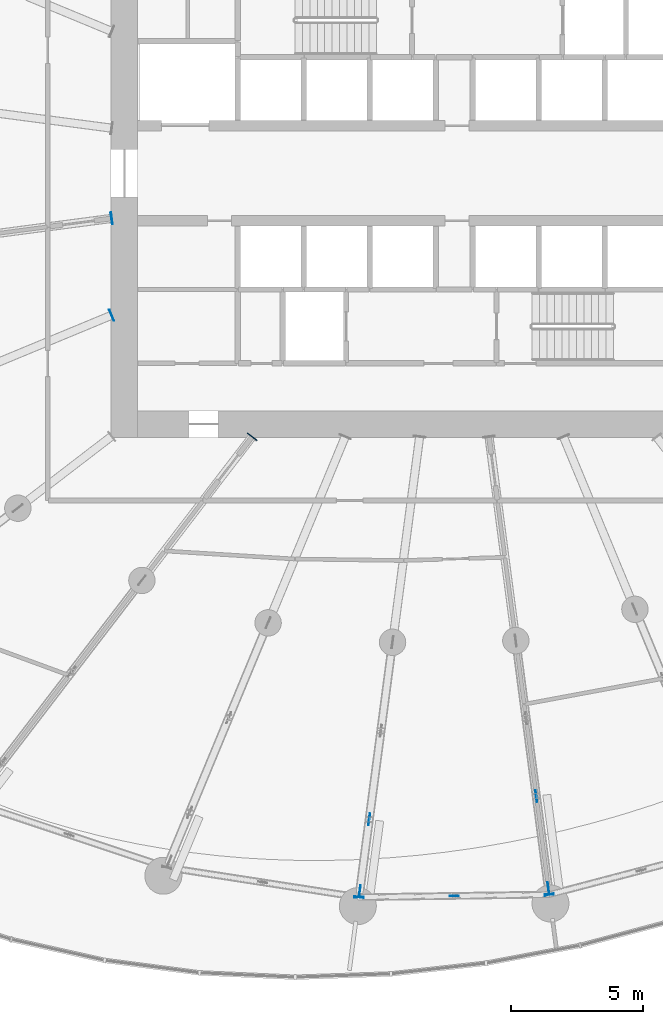
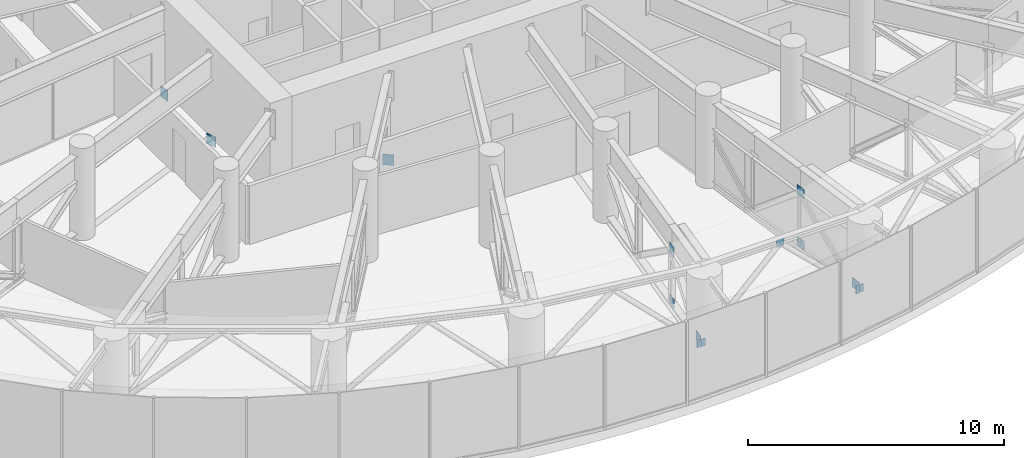
# One storey, part 29 of 42: 14 discrete accessories.
"""IFC4 building model written with IfcOpenShell, lengths in metres."""

import ifcopenshell
import ifcopenshell.guid

model = None  # the IFC model being written
_history = None  # IfcOwnerHistory: only IFC2X3 demands one
_inside = {}  # id of a spatial element -> (the spatial element, [elements in it])
_under = {}  # id of a project, library or spatial element -> (it, [spatial elements below it])
_declared = {}  # id of a project -> (the project, [libraries it declares])
_typed = {}  # id of a type object -> (the type object, [elements of that type])
_made_of = {}  # id of a material, layer set ... -> (it, [elements and type objects made of it])


def new_model(schema):
    """Start an empty IFC model of exactly this schema.

    Asked for "IFC4X3", IfcOpenShell would pick the latest addendum, in which some entities
    have other attributes; the version numbers below select the first issue.
    IFC2X3 requires an IfcOwnerHistory on every rooted entity: one is made here for all.
    """
    global model, _history
    if schema == "IFC4X3":
        model = ifcopenshell.file(schema_version=(4, 3, 0, 0))
    else:
        model = ifcopenshell.file(schema=schema)
    _inside.clear()
    _under.clear()
    _declared.clear()
    _typed.clear()
    _made_of.clear()
    _history = None
    if model.schema == "IFC2X3":
        org = make("IfcOrganization", Name="unknown")
        user = make(
            "IfcPersonAndOrganization",
            ThePerson=make("IfcPerson", FamilyName="unknown"),
            TheOrganization=org,
        )
        app = make(
            "IfcApplication",
            ApplicationDeveloper=org,
            Version="unknown",
            ApplicationFullName="unknown",
            ApplicationIdentifier="unknown",
        )
        _history = make(
            "IfcOwnerHistory",
            OwningUser=user,
            OwningApplication=app,
            ChangeAction="ADDED",
            CreationDate=0,
        )
    return model


def make(cls, **values):
    """One entity of the class cls with the attributes given. An attribute that is None is left unset."""
    return model.create_entity(
        cls, **{name: value for name, value in values.items() if value is not None}
    )


def rooted(cls, **values):
    """An entity with a GlobalId (a new one), such as an element, a storey or a relation."""
    return make(cls, GlobalId=ifcopenshell.guid.new(), OwnerHistory=_history, **values)


def si_unit(unit_type, name, prefix=None):
    """IfcSIUnit, for example si_unit("LENGTHUNIT", "METRE", prefix="MILLI")."""
    return make("IfcSIUnit", UnitType=unit_type, Prefix=prefix, Name=name)


def assignment(units):
    """IfcUnitAssignment: the units of a project."""
    return None if units is None else make("IfcUnitAssignment", Units=units)


def point(xyz):
    """IfcCartesianPoint."""
    return None if xyz is None else make("IfcCartesianPoint", Coordinates=xyz)


def direction(xyz):
    """IfcDirection."""
    return None if xyz is None else make("IfcDirection", DirectionRatios=xyz)


def frame(location, z_axis=None, x_axis=None):
    """IfcAxis2Placement3D, a coordinate frame: its origin and axes. An axis left out is left unset."""
    return make(
        "IfcAxis2Placement3D",
        Location=point(location),
        Axis=direction(z_axis),
        RefDirection=direction(x_axis),
    )


def frame_2d(location, x_axis=None):
    """IfcAxis2Placement2D, a coordinate frame in the plane: its origin and x axis."""
    return make(
        "IfcAxis2Placement2D", Location=point(location), RefDirection=direction(x_axis)
    )


def origin():
    """The frame at (0, 0, 0) with its axes left unset."""
    return frame((0.0, 0.0, 0.0))


def origin_2d():
    """The frame at (0, 0) in the plane with its x axis left unset."""
    return frame_2d((0.0, 0.0))


def place(relative_to, where):
    """IfcLocalPlacement: puts the frame where relative to a parent placement (None: the world)."""
    return make(
        "IfcLocalPlacement", PlacementRelTo=relative_to, RelativePlacement=where
    )


def context(
    kind, dimensions, precision=None, world=None, true_north=None, identifier=None
):
    """IfcGeometricRepresentationContext, for example the 3D "Model" context."""
    return make(
        "IfcGeometricRepresentationContext",
        ContextIdentifier=identifier,
        ContextType=kind,
        CoordinateSpaceDimension=dimensions,
        Precision=precision,
        WorldCoordinateSystem=world,
        TrueNorth=true_north,
    )


def subcontext(parent, identifier, kind, view, scale=None):
    """IfcGeometricRepresentationSubContext, for example "Body" below "Model"."""
    return make(
        "IfcGeometricRepresentationSubContext",
        ContextIdentifier=identifier,
        ContextType=kind,
        ParentContext=parent,
        TargetScale=scale,
        TargetView=view,
    )


def project(units=None, contexts=None):
    """IfcProject with its units and contexts."""
    return rooted(
        "IfcProject",
        Name="project",
        RepresentationContexts=contexts,
        UnitsInContext=assignment(units),
    )


def spatial(cls, under=None, at=None, **own):
    """A site, building, storey or space (cls), placed at a placement, below another one or the project."""
    s = rooted(cls, ObjectPlacement=at, **own)
    if under is not None:
        _under.setdefault(under.id(), (under, []))[1].append(s)
    return s


def profile(cls, at=None, kind="AREA", **sizes):
    """A parametric profile (cls). Its sizes go by their IFC names, for example OverallWidth=200.0."""
    return make(cls, ProfileType=kind, Position=at, **sizes)


def rectangle(**sizes):
    """IfcRectangleProfileDef."""
    return profile("IfcRectangleProfileDef", **sizes)


def extrude(swept, where, along, depth):
    """IfcExtrudedAreaSolid: the profile swept, set in the frame where, extruded along a direction by depth."""
    return make(
        "IfcExtrudedAreaSolid",
        SweptArea=swept,
        Position=where,
        ExtrudedDirection=direction(along),
        Depth=depth,
    )


def shape(context_of_items, identifier, shape_type, items):
    """IfcShapeRepresentation: the items that make up one representation, for example the "Body"."""
    return make(
        "IfcShapeRepresentation",
        ContextOfItems=context_of_items,
        RepresentationIdentifier=identifier,
        RepresentationType=shape_type,
        Items=items,
    )


def source(mapping_origin, context_of_items, identifier, shape_type, items):
    """IfcRepresentationMap: a shape defined once, which mapped items show again and again."""
    return make(
        "IfcRepresentationMap",
        MappingOrigin=mapping_origin,
        MappedRepresentation=shape(context_of_items, identifier, shape_type, items),
    )


def transform(
    local_origin,
    x_axis=None,
    y_axis=None,
    z_axis=None,
    scale=None,
    scale2=None,
    scale3=None,
    uniform=True,
):
    """IfcCartesianTransformationOperator3D, or its non-uniform kind. x_axis, y_axis, z_axis: its Axis1, 2, 3."""
    if uniform:
        return make(
            "IfcCartesianTransformationOperator3D",
            Axis1=direction(x_axis),
            Axis2=direction(y_axis),
            LocalOrigin=point(local_origin),
            Scale=scale,
            Axis3=direction(z_axis),
        )
    return make(
        "IfcCartesianTransformationOperator3DnonUniform",
        Axis1=direction(x_axis),
        Axis2=direction(y_axis),
        LocalOrigin=point(local_origin),
        Scale=scale,
        Axis3=direction(z_axis),
        Scale2=scale2,
        Scale3=scale3,
    )


def mapped(mapping_source, mapping_target):
    """IfcMappedItem: shows the shape of a source again, moved by a transform."""
    return make(
        "IfcMappedItem", MappingSource=mapping_source, MappingTarget=mapping_target
    )


def material(Name=None, Category=None):
    """IfcMaterial."""
    return make("IfcMaterial", Name=Name, Category=Category)


def layer(
    of_material, thickness, ventilated=None, Name=None, Category=None, Priority=None
):
    """IfcMaterialLayer: one layer of a wall or slab, of a material (None: an air gap)."""
    return make(
        "IfcMaterialLayer",
        Material=of_material,
        LayerThickness=thickness,
        IsVentilated=ventilated,
        Name=Name,
        Category=Category,
        Priority=Priority,
    )


def layer_set(layers, Name=None):
    """IfcMaterialLayerSet."""
    return make("IfcMaterialLayerSet", MaterialLayers=layers, LayerSetName=Name)


def made_of(thing, what):
    """Note that an element or type object is made of a material, layer set ...; save() writes the relation."""
    if what is not None:
        _made_of.setdefault(what.id(), (what, []))[1].append(thing)
    return thing


def type_object(cls, material=None, **own):
    """A type object (cls), such as IfcWallType, which elements share."""
    return made_of(rooted(cls, **own), material)


def element(
    cls,
    number,
    at=None,
    inside=None,
    cuts=None,
    type_object=None,
    material=None,
    context=None,
    identifier="Body",
    shape_type=None,
    held_by="IfcProductDefinitionShape",
    body=None,
    shapes=None,
    **own,
):
    """One element of the class cls, such as IfcWall. Its Tag is "e" and its number.

    at: its placement. inside: the storey or other place that contains it. cuts: it is an
    opening in that element (IfcRelVoidsElement). A single representation is given by context,
    identifier, shape_type and body (its items); several are given by shapes. held_by: the class
    of the entity that holds the representations. save() writes the other relations.
    """
    e = rooted(cls, Tag="e%d" % number, ObjectPlacement=at, **own)
    if body is not None:
        shapes = [shape(context, identifier, shape_type, body)]
    if shapes is not None:
        e.Representation = make(held_by, Representations=shapes)
    if inside is not None:
        _inside.setdefault(inside.id(), (inside, []))[1].append(e)
    if cuts is not None:
        rooted(
            "IfcRelVoidsElement", RelatingBuildingElement=cuts, RelatedOpeningElement=e
        )
    if type_object is not None:
        _typed.setdefault(type_object.id(), (type_object, []))[1].append(e)
    return made_of(e, material)


def aggregate(whole, parts):
    """IfcRelAggregates: a whole, such as a stair, and the parts it consists of."""
    return rooted("IfcRelAggregates", RelatingObject=whole, RelatedObjects=parts)


def save(model, path):
    """Write the relations noted so far, then the file.

    IfcRelAggregates (storeys below a building ...), IfcRelContainedInSpatialStructure (elements
    in a storey), IfcRelDefinesByType, IfcRelAssociatesMaterial and IfcRelDeclares: one each for
    every whole, place, type object, material and project.
    """
    for whole, parts in _under.values():
        aggregate(whole, parts)
    for where, things in _inside.values():
        rooted(
            "IfcRelContainedInSpatialStructure",
            RelatedElements=things,
            RelatingStructure=where,
        )
    for kind, things in _typed.values():
        rooted("IfcRelDefinesByType", RelatedObjects=things, RelatingType=kind)
    for what, things in _made_of.values():
        rooted("IfcRelAssociatesMaterial", RelatedObjects=things, RelatingMaterial=what)
    for by, libraries in _declared.values():
        rooted("IfcRelDeclares", RelatingContext=by, RelatedDefinitions=libraries)
    model.write(path)


model = new_model("IFC4")

# Units and contexts
model_context = context("Model", 3, precision=1e-05, world=origin(), true_north=direction((0.0, 1.0)))
body_context = subcontext(model_context, "Body", "Model", "MODEL_VIEW")
ifc_project = project(units=[si_unit("LENGTHUNIT", "METRE"), si_unit("AREAUNIT", "SQUARE_METRE"), si_unit("VOLUMEUNIT", "CUBIC_METRE"), si_unit("PLANEANGLEUNIT", "RADIAN"), si_unit("MASSUNIT", "GRAM", prefix="KILO")], contexts=[model_context])

# Site, building, storey
site_placement = place(None, origin())
site = spatial("IfcSite", under=ifc_project, at=site_placement, CompositionType="ELEMENT")
building_placement = place(site_placement, origin())
building = spatial("IfcBuilding", under=site, at=building_placement, Name="Spindrift Exchange Tower", CompositionType="ELEMENT")
storey_placement = place(building_placement, frame((0.0, 0.0, 75.39990234375)))
storey = spatial("IfcBuildingStorey", under=building, at=storey_placement, Name="L17", CompositionType="ELEMENT", Elevation=75.39990234375)

# Discrete accessories
ifc_material = material(Name="Steel Grade 350", Category="steel")
ifc_layer_1 = layer(ifc_material, 0.031982421875)
ifc_layer_set_1 = layer_set([ifc_layer_1], Name="Cast-in plate 450x500x32 Steel Grade 350")
discrete_accessory_type_1 = type_object("IfcDiscreteAccessoryType", Name="Cast-in plate 450x500x32 Steel Grade 350", PredefinedType="USERDEFINED", material=ifc_layer_set_1)
shared_shape_1 = source(origin(), body_context, "Body", "SweptSolid", [
    extrude(rectangle(XDim=0.031982421875, YDim=0.449951171875, at=origin_2d()), origin(), (0.0, 0.0, 1.0), 0.5),
])
for number, where, z_axis, x_axis, name in (
    (1, (39.019775390625, 46.291015625, -0.413330078125), (0.0, 0.0, 1.0), (-0.991444861374, -0.13052619222, 0.0), "L17 cast-in plate CP2 13"),
    (2, (39.0185546875, 42.622802734375, -0.413330078125), (0.0, 0.0, 1.0), (-0.923879532511, -0.382683432365, 0.0), "L17 cast-in plate CP2 14"),
    (3, (44.3388671875, 38.015869140625, -0.413330078125), (0.0, 0.0, 1.0), (-0.608761429009, -0.793353340291, 0.0), "L17 cast-in plate CP2 16"),
):
    element("IfcDiscreteAccessory", number, at=place(storey_placement, frame(where, z_axis=z_axis, x_axis=x_axis)), inside=storey, type_object=discrete_accessory_type_1, Name=name, ObjectType="Cast-in plate", PredefinedType="USERDEFINED", context=body_context, shape_type="MappedRepresentation", body=[
        mapped(shared_shape_1, transform((0.0, 0.0, 0.0), scale=1.0)),
    ])
ifc_layer_2 = layer(ifc_material, 0.02490234375)
ifc_layer_set_2 = layer_set([ifc_layer_2], Name="Gusset plate 450x450x25 Steel Grade 350")
discrete_accessory_type_2 = type_object("IfcDiscreteAccessoryType", Name="Gusset plate 450x450x25 Steel Grade 350", PredefinedType="USERDEFINED", material=ifc_layer_set_2)
shared_shape_2 = source(origin(), body_context, "Body", "SweptSolid", [
    extrude(rectangle(XDim=0.449951171875, YDim=0.02490234375, at=origin_2d()), origin(), (0.0, 0.0, 1.0), 0.449951171875),
])
for number, where, z_axis, x_axis, name in (
    (4, (48.777587890625, 23.523193359375, 2.5751953125), (0.0, 0.0, 1.0), (-0.130507157821, -0.991447367114, 0.0), "L17 gusset plate GP1 18"),
    (5, (48.4208984375, 20.813720703125, 0.10205078125), (0.0, 0.0, 1.0), (-0.130552148141, -0.991441443866, 0.0), "L17 gusset plate GP1 18"),
    (6, (48.777587890625, 23.523193359375, 0.10205078125), (0.0, 0.0, 1.0), (-0.13052619222, -0.991444861374, 0.0), "L17 gusset plate GP1 18"),
    (7, (55.1064453125, 24.404541015625, 2.5751953125), (0.0, 0.0, 1.0), (0.130538304994, -0.991443266622, 0.0), "L17 gusset plate GP1 19"),
    (8, (55.56591796875, 20.913818359375, 0.10205078125), (0.0, 0.0, 1.0), (0.130529653015, -0.991444405745, 0.0), "L17 gusset plate GP1 19"),
    (9, (55.1064453125, 24.404541015625, 0.10205078125), (0.0, 0.0, 1.0), (0.13052619222, -0.991444861374, 0.0), "L17 gusset plate GP1 19"),
):
    element("IfcDiscreteAccessory", number, at=place(storey_placement, frame(where, z_axis=z_axis, x_axis=x_axis)), inside=storey, type_object=discrete_accessory_type_2, Name=name, ObjectType="Gusset plate", PredefinedType="USERDEFINED", context=body_context, shape_type="MappedRepresentation", body=[
        mapped(shared_shape_2, transform((0.0, 0.0, 0.0), scale=1.0)),
    ])
ifc_layer_3 = layer(ifc_material, 0.02001953125)
ifc_layer_set_3 = layer_set([ifc_layer_3], Name="Gusset plate 350x350x20 Steel Grade 350")
discrete_accessory_type_3 = type_object("IfcDiscreteAccessoryType", Name="Gusset plate 350x350x20 Steel Grade 350", PredefinedType="USERDEFINED", material=ifc_layer_set_3)
shared_shape_3 = source(origin(), body_context, "Body", "SweptSolid", [
    extrude(rectangle(XDim=0.35009765625, YDim=0.02001953125, at=origin_2d()), origin(), (0.0, 0.0, 1.0), 0.35009765625),
])
for number, where, z_axis, x_axis, name in (
    (10, (48.389404296875, 20.57568359375, 0.0849609375), (0.0, 0.0, 1.0), (0.988235322706, -0.152940991745, 0.0), "L17 gusset plate GP2 17"),
    (11, (48.389404296875, 20.57568359375, 0.0849609375), (0.0, 0.0, 1.0), (0.999903762847, 0.013873177169, 0.0), "L17 gusset plate GP2 18"),
    (12, (51.993408203125, 20.625732421875, 3.56494140625), (0.0, 0.0, 1.0), (0.999903762847, 0.013873177169, 0.0), "L17 gusset plate GP2 18"),
    (13, (55.597412109375, 20.67578125, 0.0849609375), (0.0, 0.0, 1.0), (0.999903375045, 0.013901099744, 0.0), "L17 gusset plate GP2 18"),
    (14, (55.597412109375, 20.67578125, 0.0849609375), (0.0, 0.0, 1.0), (0.967162261232, 0.254159714448, 0.0), "L17 gusset plate GP2 19"),
):
    element("IfcDiscreteAccessory", number, at=place(storey_placement, frame(where, z_axis=z_axis, x_axis=x_axis)), inside=storey, type_object=discrete_accessory_type_3, Name=name, ObjectType="Gusset plate", PredefinedType="USERDEFINED", context=body_context, shape_type="MappedRepresentation", body=[
        mapped(shared_shape_3, transform((0.0, 0.0, 0.0), scale=1.0)),
    ])

save(model, "model.ifc")
